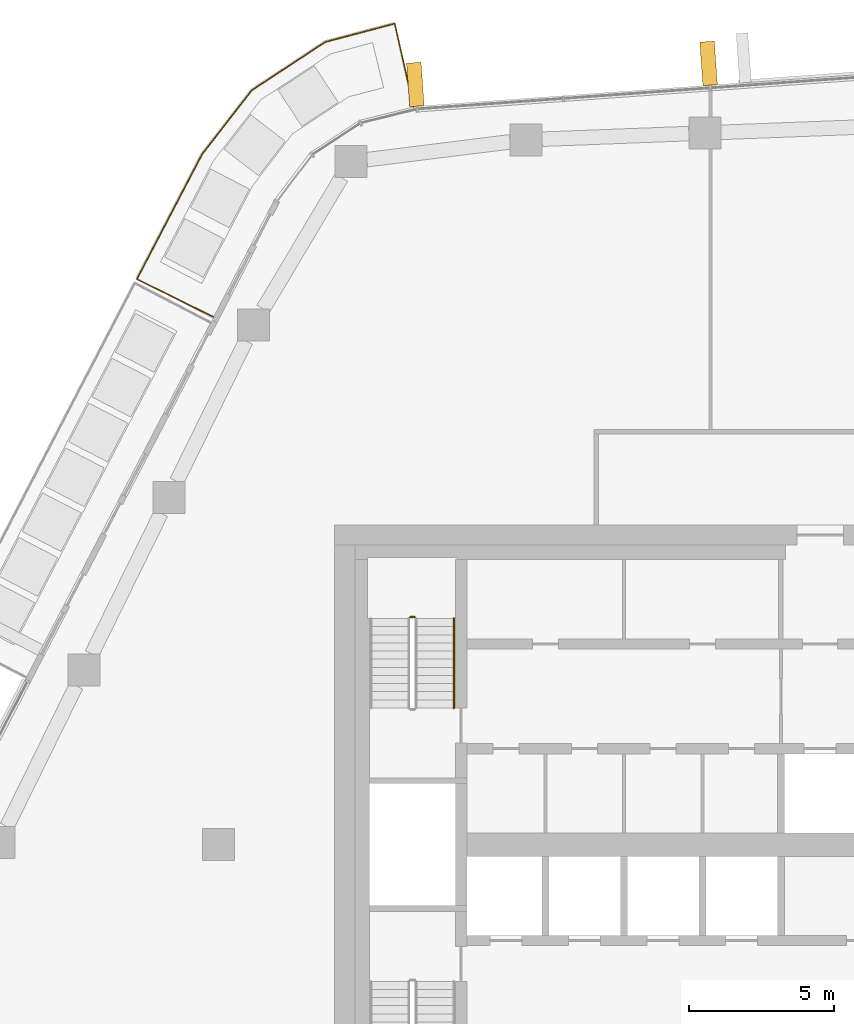
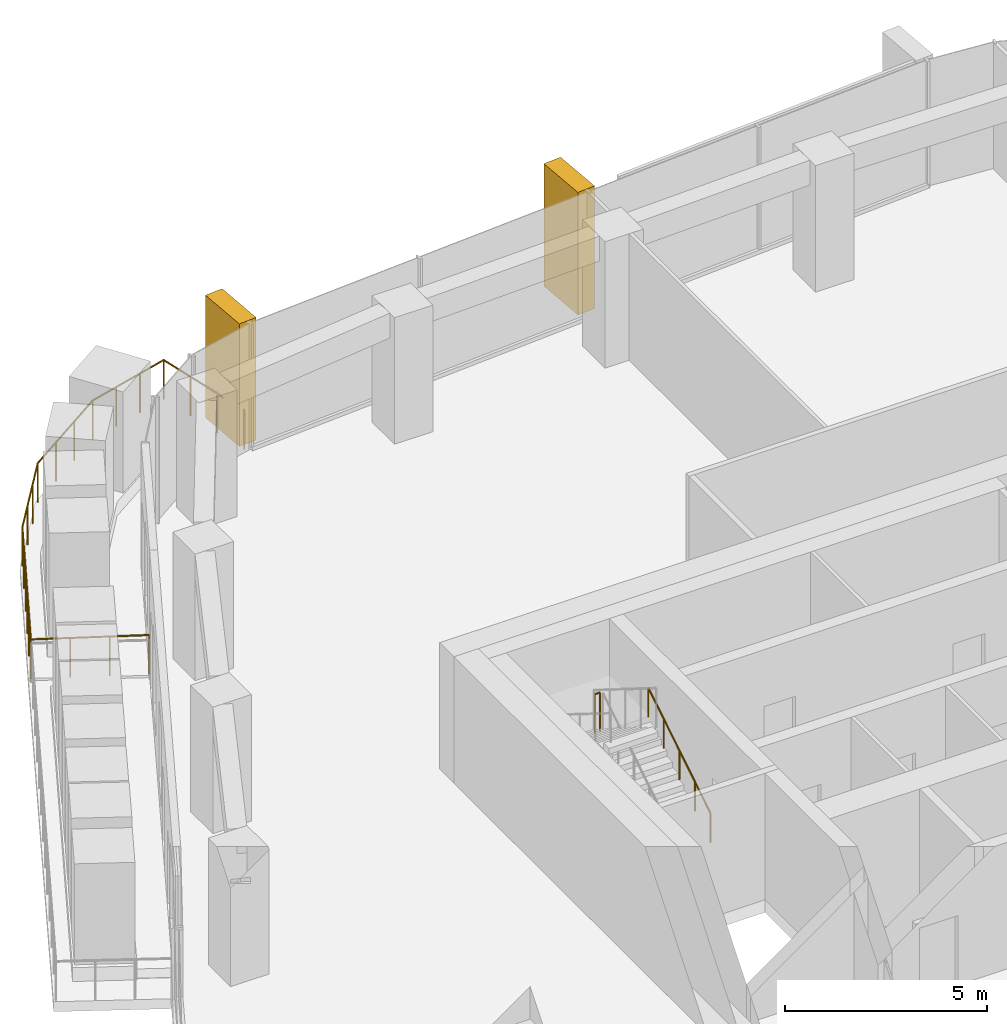
# One storey, part 19 of 21: 3 railings, 2 coverings, 1 element without a shape of its own.
"""IFC4 building model written with IfcOpenShell, lengths in metres."""

from ifc_helpers import new_model, si_unit, direction, frame, origin, origin_2d, place, context, subcontext, project, spatial, rectangle, circle, extrude, material, layer, layer_set, material_profile, profile_set, type_object, element, aggregate, save


model = new_model("IFC4")

# Units and contexts
model_context = context("Model", 3, precision=1e-05, world=origin(), true_north=direction((0.0, 1.0)))
body_context = subcontext(model_context, "Body", "Model", "MODEL_VIEW")
ifc_project = project(units=[si_unit("LENGTHUNIT", "METRE"), si_unit("AREAUNIT", "SQUARE_METRE"), si_unit("VOLUMEUNIT", "CUBIC_METRE"), si_unit("PLANEANGLEUNIT", "RADIAN"), si_unit("MASSUNIT", "GRAM", prefix="KILO")], contexts=[model_context])

# Site, building, storey
site_placement = place(None, origin())
site = spatial("IfcSite", under=ifc_project, at=site_placement, CompositionType="ELEMENT")
building_placement = place(site_placement, origin())
building = spatial("IfcBuilding", under=site, at=building_placement, Name="Dongbaek Canopy Tower", CompositionType="ELEMENT")
storey_placement = place(building_placement, frame((0.0, 0.0, 270.60009765625)))
storey = spatial("IfcBuildingStorey", under=building, at=storey_placement, Name="L57", CompositionType="ELEMENT", Elevation=270.60009765625)

# Railing
ifc_material_1 = material(Name="Stainless steel", Category="steel")
railing_type_1 = type_object("IfcRailingType", Name="Balcony balustrade 1200", PredefinedType="BALUSTRADE", material=ifc_material_1)
railing_1_placement = place(storey_placement, frame((-11.2841796875, 25.37255859375, 0.0)))
element("IfcRailing", 1, at=railing_1_placement, inside=storey, type_object=railing_type_1, Name="Balcony guard L57 5", PredefinedType="BALUSTRADE", context=body_context, shape_type="SweptSolid", body=[
    extrude(circle(Radius=0.02392578125, at=origin_2d()), frame((0.0, 0.0, 1.17578125), z_axis=(-0.219610978917, 0.975587524489, 0.0), x_axis=(-0.975587524489, -0.219610978917, 0.0)), (0.0, 0.0, 1.0), 2.9404296875),
    extrude(circle(Radius=0.02392578125, at=origin_2d()), frame((-0.645751953125, 2.86865234375, 1.17578125), z_axis=(-0.966688022334, -0.255957550145, 0.0), x_axis=(0.255957550145, -0.966688022334, 0.0)), (0.0, 0.0, 1.0), 2.47802734375),
    extrude(circle(Radius=0.02392578125, at=origin_2d()), frame((-3.041259765625, 2.234375, 1.17578125), z_axis=(-0.83547363868, -0.54953052606, 0.0), x_axis=(0.54953052606, -0.83547363868, 0.0)), (0.0, 0.0, 1.0), 3.025146484375),
    extrude(circle(Radius=0.02392578125, at=origin_2d()), frame((-5.568603515625, 0.572021484375, 1.17578125), z_axis=(-0.613417092057, -0.789759122247, 0.0), x_axis=(0.789759122247, -0.613417092057, 0.0)), (0.0, 0.0, 1.0), 2.77734375),
    extrude(circle(Radius=0.02392578125, at=origin_2d()), frame((-7.272216796875, -1.621337890625, 1.17578125), z_axis=(-0.462822183526, -0.886451141596, 0.0), x_axis=(0.886451141596, -0.462822183526, 0.0)), (0.0, 0.0, 1.0), 4.8525390625),
    extrude(circle(Radius=0.02392578125, at=origin_2d()), frame((-9.51806640625, -5.9228515625, 1.17578125), z_axis=(0.89667407753, -0.442691313091, 0.0), x_axis=(0.442691313091, 0.89667407753, 0.0)), (0.0, 0.0, 1.0), 2.940673828125),
    extrude(circle(Radius=0.02099609375, at=origin_2d()), origin(), (0.0, 0.0, 1.0), 1.15185546875),
    extrude(circle(Radius=0.02099609375, at=origin_2d()), frame((-0.21533203125, 0.956298828125, 0.0)), (0.0, 0.0, 1.0), 1.15185546875),
    extrude(circle(Radius=0.02099609375, at=origin_2d()), frame((-0.430419921875, 1.912353515625, 0.0)), (0.0, 0.0, 1.0), 1.15185546875),
    extrude(circle(Radius=0.02099609375, at=origin_2d()), frame((-0.645751953125, 2.86865234375, 0.0)), (0.0, 0.0, 1.0), 1.15185546875),
    extrude(circle(Radius=0.02099609375, at=origin_2d()), frame((-1.4443359375, 2.6572265625, 0.0)), (0.0, 0.0, 1.0), 1.15185546875),
    extrude(circle(Radius=0.02099609375, at=origin_2d()), frame((-2.24267578125, 2.44580078125, 0.0)), (0.0, 0.0, 1.0), 1.15185546875),
    extrude(circle(Radius=0.02099609375, at=origin_2d()), frame((-3.041259765625, 2.234375, 0.0)), (0.0, 0.0, 1.0), 1.15185546875),
    extrude(circle(Radius=0.02099609375, at=origin_2d()), frame((-3.8837890625, 1.68017578125, 0.0)), (0.0, 0.0, 1.0), 1.15185546875),
    extrude(circle(Radius=0.02099609375, at=origin_2d()), frame((-4.72607421875, 1.126220703125, 0.0)), (0.0, 0.0, 1.0), 1.15185546875),
    extrude(circle(Radius=0.02099609375, at=origin_2d()), frame((-5.568603515625, 0.572021484375, 0.0)), (0.0, 0.0, 1.0), 1.15185546875),
    extrude(circle(Radius=0.02099609375, at=origin_2d()), frame((-6.136474609375, -0.1591796875, 0.0)), (0.0, 0.0, 1.0), 1.15185546875),
    extrude(circle(Radius=0.02099609375, at=origin_2d()), frame((-6.704345703125, -0.89013671875, 0.0)), (0.0, 0.0, 1.0), 1.15185546875),
    extrude(circle(Radius=0.02099609375, at=origin_2d()), frame((-7.272216796875, -1.621337890625, 0.0)), (0.0, 0.0, 1.0), 1.15185546875),
    extrude(circle(Radius=0.02099609375, at=origin_2d()), frame((-7.721435546875, -2.481689453125, 0.0)), (0.0, 0.0, 1.0), 1.15185546875),
    extrude(circle(Radius=0.02099609375, at=origin_2d()), frame((-8.170654296875, -3.342041015625, 0.0)), (0.0, 0.0, 1.0), 1.15185546875),
    extrude(circle(Radius=0.02099609375, at=origin_2d()), frame((-8.61962890625, -4.2021484375, 0.0)), (0.0, 0.0, 1.0), 1.15185546875),
    extrude(circle(Radius=0.02099609375, at=origin_2d()), frame((-9.06884765625, -5.0625, 0.0)), (0.0, 0.0, 1.0), 1.15185546875),
    extrude(circle(Radius=0.02099609375, at=origin_2d()), frame((-9.51806640625, -5.9228515625, 0.0)), (0.0, 0.0, 1.0), 1.15185546875),
    extrude(circle(Radius=0.02099609375, at=origin_2d()), frame((-8.63916015625, -6.356689453125, 0.0)), (0.0, 0.0, 1.0), 1.15185546875),
    extrude(circle(Radius=0.02099609375, at=origin_2d()), frame((-7.76025390625, -6.790771484375, 0.0)), (0.0, 0.0, 1.0), 1.15185546875),
    extrude(circle(Radius=0.02099609375, at=origin_2d()), frame((-6.88134765625, -7.224609375, 0.0)), (0.0, 0.0, 1.0), 1.15185546875),
])

# Curtain wall, coverings
ifc_material_2 = material(Name="Aluminium 6063-T6 pale anodised", Category="aluminium")
ifc_layer = layer(ifc_material_2, 0.199951171875)
ifc_layer_set = layer_set([ifc_layer], Name="CW-1 unitised tower curtain wall")
curtain_wall_type = type_object("IfcCurtainWallType", Name="CW-1 unitised tower curtain wall", PredefinedType="NOTDEFINED", material=ifc_layer_set)
curtain_wall_placement = place(storey_placement, origin())
curtain_wall = element("IfcCurtainWall", 2, at=curtain_wall_placement, inside=storey, type_object=curtain_wall_type, Name="CW-1 curtain wall F1.1", PredefinedType="NOTDEFINED")
ifc_material_3 = material(Name="Aluminium 6063-T6 pale metal fin", Category="aluminium")
ifc_material_profile = material_profile(ifc_material_3, rectangle(XDim=1.5, YDim=0.5, at=origin_2d()), Name="Fin FN1 500 x 1500 pale metal")
ifc_profile_set = profile_set([ifc_material_profile], Name="Aluminium 6063-T6 pale metal fin")
covering_type = type_object("IfcCoveringType", Name="Fin FN1 500 x 1500 pale metal", PredefinedType="CLADDING", material=ifc_profile_set)
covering_1_placement = place(storey_placement, frame((-1.13671875, 26.873046875, 0.119873046875), z_axis=(0.0, 0.0, 1.0), x_axis=(-0.07174408026, 0.997423073198, 0.0)))
covering_1 = element("IfcCovering", 3, at=covering_1_placement, type_object=covering_type, Name="Fin F1.1.3", PredefinedType="CLADDING", context=body_context, shape_type="SweptSolid", body=[
    extrude(rectangle(XDim=1.5, YDim=0.5, at=origin_2d()), origin(), (0.0, 0.0, 1.0), 3.699951171875),
])
covering_2_placement = place(storey_placement, frame((-11.222900390625, 26.1474609375, 0.119873046875), z_axis=(0.0, 0.0, 1.0), x_axis=(-0.07174408026, 0.997423073198, 0.0)))
covering_2 = element("IfcCovering", 4, at=covering_2_placement, type_object=covering_type, Name="Fin F1.1.5", PredefinedType="CLADDING", context=body_context, shape_type="SweptSolid", body=[
    extrude(rectangle(XDim=1.5, YDim=0.5, at=origin_2d()), origin(), (0.0, 0.0, 1.0), 3.699951171875),
])
aggregate(curtain_wall, [covering_1, covering_2])

# Railings
ifc_material_4 = material(Name="Stainless steel tube and balusters", Category="steel")
railing_type_2 = type_object("IfcRailingType", Name="Stair guard 1200", PredefinedType="GUARDRAIL", material=ifc_material_4)
railing_2_placement = place(storey_placement, frame((-11.25, 7.830078125, 2.099853515625)))
element("IfcRailing", 5, at=railing_2_placement, inside=storey, type_object=railing_type_2, Name="L57 ST-C stair guard 2", PredefinedType="GUARDRAIL", context=body_context, shape_type="SweptSolid", body=[
    extrude(circle(Radius=0.02392578125, at=origin_2d()), frame((0.0, 0.0, 1.17578125), z_axis=(-1.0, 0.0, 0.0), x_axis=(0.0, -1.0, 0.0)), (0.0, 0.0, 1.0), 0.14990234375),
    extrude(circle(Radius=0.02099609375, at=origin_2d()), origin(), (0.0, 0.0, 1.0), 1.15185546875),
    extrude(circle(Radius=0.02099609375, at=origin_2d()), frame((-0.14990234375, 0.0, 0.0)), (0.0, 0.0, 1.0), 1.15185546875),
])
ifc_material_5 = material(Name="Stainless steel tube", Category="steel")
railing_type_3 = type_object("IfcRailingType", Name="Stair handrail 900", PredefinedType="HANDRAIL", material=ifc_material_5)
railing_3_placement = place(storey_placement, frame((-9.89990234375, 4.699951171875, 0.1748046875)))
element("IfcRailing", 6, at=railing_3_placement, inside=storey, type_object=railing_type_3, Name="L57 ST-C stair handrail 1", PredefinedType="HANDRAIL", context=body_context, shape_type="SweptSolid", body=[
    extrude(circle(Radius=0.02392578125, at=origin_2d()), frame((0.0, 0.0, 0.8759765625), z_axis=(0.0, 0.847998304005, 0.529998940003), x_axis=(-1.0, 0.0, 0.0)), (0.0, 0.0, 1.0), 3.632080078125),
    extrude(circle(Radius=0.02099609375, at=origin_2d()), origin(), (0.0, 0.0, 1.0), 0.851806640625),
    extrude(circle(Radius=0.02099609375, at=origin_2d()), frame((0.0, 0.77001953125, 0.481201171875)), (0.0, 0.0, 1.0), 0.851806640625),
    extrude(circle(Radius=0.02099609375, at=origin_2d()), frame((0.0, 1.5400390625, 0.96240234375)), (0.0, 0.0, 1.0), 0.851806640625),
    extrude(circle(Radius=0.02099609375, at=origin_2d()), frame((0.0, 2.31005859375, 1.44384765625)), (0.0, 0.0, 1.0), 0.851806640625),
    extrude(circle(Radius=0.02099609375, at=origin_2d()), frame((0.0, 3.080078125, 1.925048828125)), (0.0, 0.0, 1.0), 0.851806640625),
])

save(model, "model.ifc")
